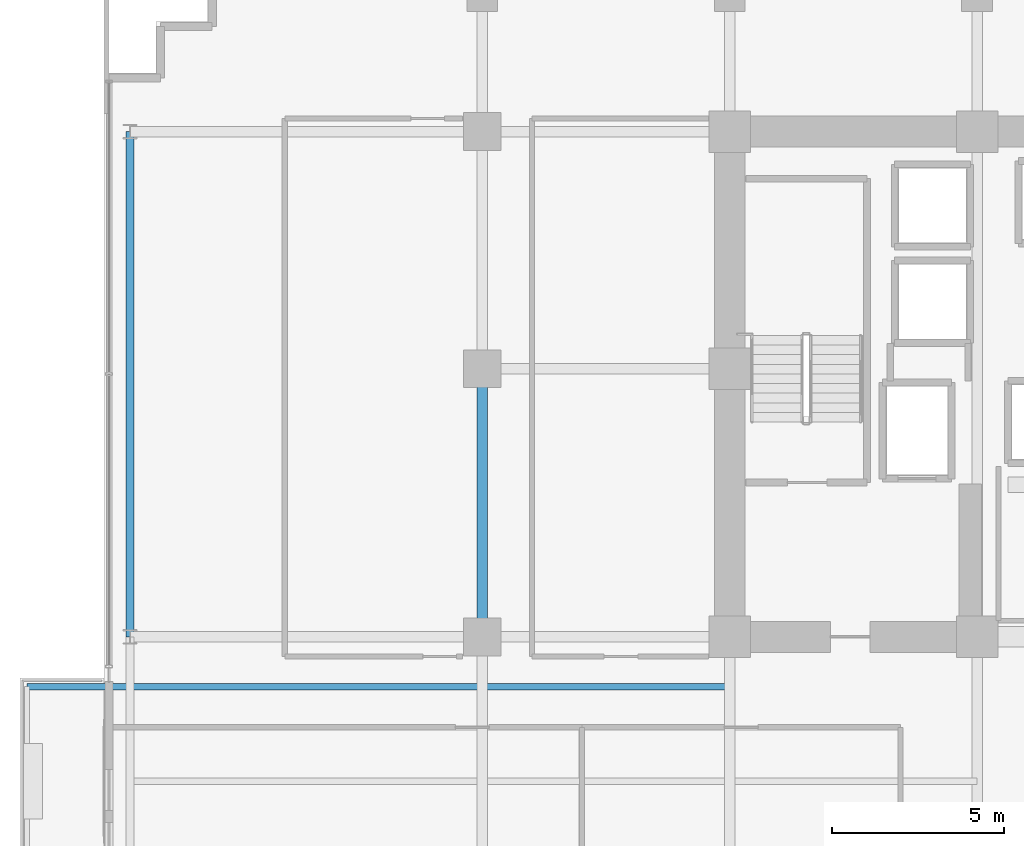
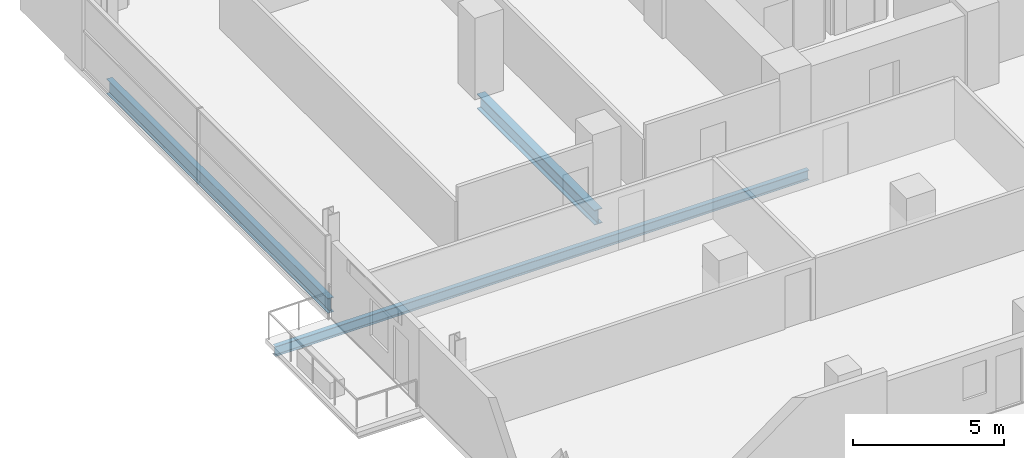
# One storey, part 6 of 30: 3 beams.
"""IFC4 building model written with IfcOpenShell, lengths in metres."""

from ifc_helpers import new_model, si_unit, direction, frame, origin, origin_2d, place, context, subcontext, project, spatial, i_section, extrude, material, material_profile, profile_set, type_object, element, save


model = new_model("IFC4")

# Units and contexts
model_context = context("Model", 3, precision=1e-05, world=origin(), true_north=direction((0.0, 1.0)))
body_context = subcontext(model_context, "Body", "Model", "MODEL_VIEW")
ifc_project = project(units=[si_unit("LENGTHUNIT", "METRE"), si_unit("AREAUNIT", "SQUARE_METRE"), si_unit("VOLUMEUNIT", "CUBIC_METRE"), si_unit("PLANEANGLEUNIT", "RADIAN"), si_unit("MASSUNIT", "GRAM", prefix="KILO")], contexts=[model_context])

# Site, building, storey
site_placement = place(None, origin())
site = spatial("IfcSite", under=ifc_project, at=site_placement, CompositionType="ELEMENT")
building_placement = place(site_placement, origin())
building = spatial("IfcBuilding", under=site, at=building_placement, Name="Zarnakvel Exchange Tower", CompositionType="ELEMENT")
storey_placement = place(building_placement, frame((0.0, 0.0, 40.60009765625)))
storey = spatial("IfcBuildingStorey", under=building, at=storey_placement, Name="L10", CompositionType="ELEMENT", Elevation=40.60009765625)

# Beams
ifc_material = material(Name="Steel S355", Category="steel")
ifc_material_profile_1 = material_profile(ifc_material, i_section(OverallWidth=0.179931640625, OverallDepth=0.39990234375, WebThickness=0.008544921875, FlangeThickness=0.013427734375, FilletRadius=0.02099609375, at=origin_2d()))
ifc_profile_set_1 = profile_set([ifc_material_profile_1], Name="Steel S355")
beam_type_1 = type_object("IfcBeamType", Name="B-06", PredefinedType="JOIST", material=ifc_profile_set_1)
beam_1_placement = place(storey_placement, frame((-14.39990234375, -2.64990234375, -0.425048828125), z_axis=(-1.0, 0.0, 0.0), x_axis=(0.0, -1.0, 0.0)))
element("IfcBeam", 1, at=beam_1_placement, inside=storey, type_object=beam_type_1, Name="L10 Continuous West Loggia Beam N", PredefinedType="JOIST", context=body_context, shape_type="SweptSolid", body=[
    extrude(i_section(OverallWidth=0.179931640625, OverallDepth=0.39990234375, WebThickness=0.008544921875, FlangeThickness=0.013427734375, FilletRadius=0.02099609375, at=origin_2d()), origin(), (0.0, 0.0, 1.0), 20.4501953125),
])
ifc_material_profile_2 = material_profile(ifc_material, i_section(OverallWidth=0.300048828125, OverallDepth=0.60009765625, WebThickness=0.015380859375, FlangeThickness=0.030029296875, FilletRadius=0.027099609375, at=origin_2d()))
ifc_profile_set_2 = profile_set([ifc_material_profile_2], Name="Steel S355")
beam_type_2 = type_object("IfcBeamType", Name="G-04", PredefinedType="BEAM", material=ifc_profile_set_2)
beam_2_placement = place(storey_placement, frame((-21.60009765625, -1.199951171875, -0.525146484375), z_axis=(0.0, 1.0, 0.0), x_axis=(-1.0, 0.0, 0.0)))
element("IfcBeam", 2, at=beam_2_placement, inside=storey, type_object=beam_type_2, Name="L10 Tower N-S Frame Beam", PredefinedType="BEAM", context=body_context, shape_type="SweptSolid", body=[
    extrude(i_section(OverallWidth=0.300048828125, OverallDepth=0.60009765625, WebThickness=0.015380859375, FlangeThickness=0.030029296875, FilletRadius=0.027099609375, at=origin_2d()), origin(), (0.0, 0.0, 1.0), 7.800048828125),
])
ifc_material_profile_3 = material_profile(ifc_material, i_section(OverallWidth=0.219970703125, OverallDepth=0.60009765625, WebThickness=0.011962890625, FlangeThickness=0.01904296875, FilletRadius=0.02392578125, at=origin_2d()))
ifc_profile_set_3 = profile_set([ifc_material_profile_3], Name="Steel S355")
beam_type_3 = type_object("IfcBeamType", Name="SP-01", PredefinedType="SPANDREL", material=ifc_profile_set_3)
beam_3_placement = place(storey_placement, frame((-31.85009765625, -1.199951171875, -0.525146484375), z_axis=(0.0, 1.0, 0.0), x_axis=(-1.0, 0.0, 0.0)))
element("IfcBeam", 3, at=beam_3_placement, inside=storey, type_object=beam_type_3, Name="L10 Tower N-S Frame Beam", PredefinedType="SPANDREL", context=body_context, shape_type="SweptSolid", body=[
    extrude(i_section(OverallWidth=0.219970703125, OverallDepth=0.60009765625, WebThickness=0.011962890625, FlangeThickness=0.01904296875, FilletRadius=0.02392578125, at=origin_2d()), origin(), (0.0, 0.0, 1.0), 14.699951171875),
])

save(model, "model.ifc")
